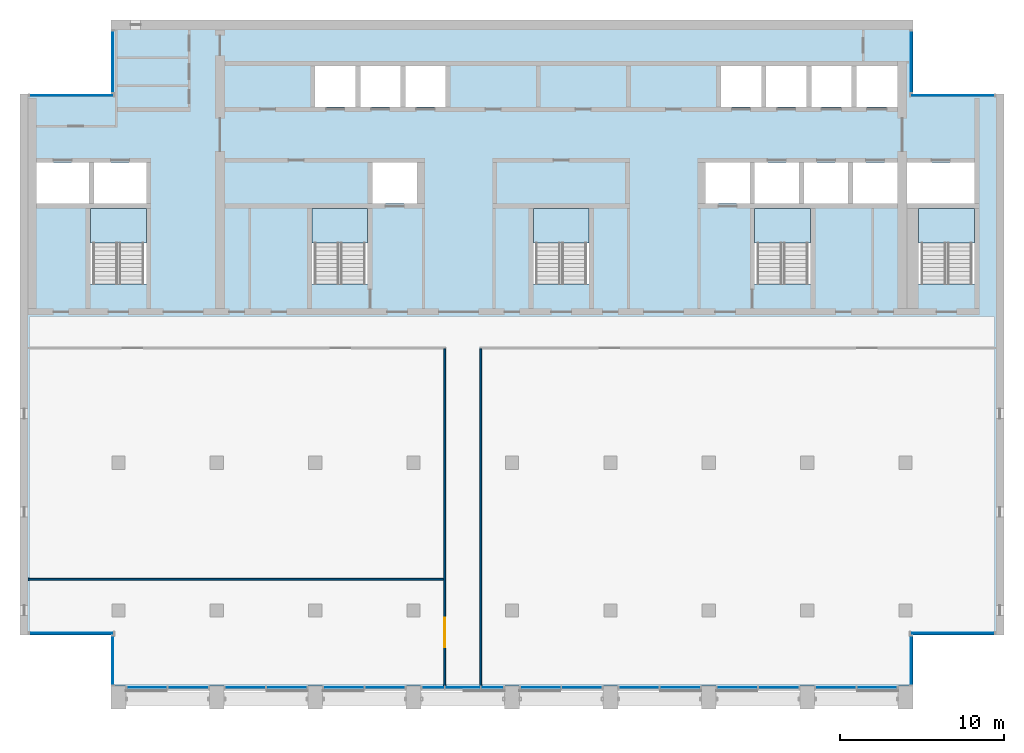
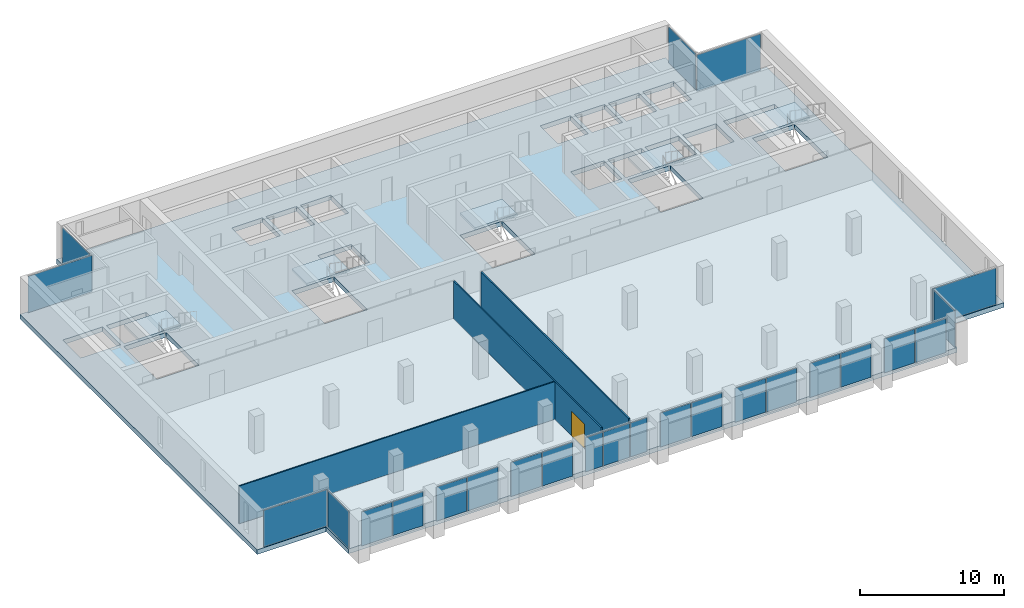
# One storey, part 6 of 14: 25 plates, 6 slabs, 3 walls, 1 door, 1 opening, 21 elements without a shape of their own.
"""IFC4 building model written with IfcOpenShell, lengths in metres."""

import ifcopenshell
import ifcopenshell.guid

model = None  # the IFC model being written
_history = None  # IfcOwnerHistory: only IFC2X3 demands one
_inside = {}  # id of a spatial element -> (the spatial element, [elements in it])
_under = {}  # id of a project, library or spatial element -> (it, [spatial elements below it])
_declared = {}  # id of a project -> (the project, [libraries it declares])
_typed = {}  # id of a type object -> (the type object, [elements of that type])
_made_of = {}  # id of a material, layer set ... -> (it, [elements and type objects made of it])


def new_model(schema):
    """Start an empty IFC model of exactly this schema.

    Asked for "IFC4X3", IfcOpenShell would pick the latest addendum, in which some entities
    have other attributes; the version numbers below select the first issue.
    IFC2X3 requires an IfcOwnerHistory on every rooted entity: one is made here for all.
    """
    global model, _history
    if schema == "IFC4X3":
        model = ifcopenshell.file(schema_version=(4, 3, 0, 0))
    else:
        model = ifcopenshell.file(schema=schema)
    _inside.clear()
    _under.clear()
    _declared.clear()
    _typed.clear()
    _made_of.clear()
    _history = None
    if model.schema == "IFC2X3":
        org = make("IfcOrganization", Name="unknown")
        user = make(
            "IfcPersonAndOrganization",
            ThePerson=make("IfcPerson", FamilyName="unknown"),
            TheOrganization=org,
        )
        app = make(
            "IfcApplication",
            ApplicationDeveloper=org,
            Version="unknown",
            ApplicationFullName="unknown",
            ApplicationIdentifier="unknown",
        )
        _history = make(
            "IfcOwnerHistory",
            OwningUser=user,
            OwningApplication=app,
            ChangeAction="ADDED",
            CreationDate=0,
        )
    return model


def make(cls, **values):
    """One entity of the class cls with the attributes given. An attribute that is None is left unset."""
    return model.create_entity(
        cls, **{name: value for name, value in values.items() if value is not None}
    )


def rooted(cls, **values):
    """An entity with a GlobalId (a new one), such as an element, a storey or a relation."""
    return make(cls, GlobalId=ifcopenshell.guid.new(), OwnerHistory=_history, **values)


def si_unit(unit_type, name, prefix=None):
    """IfcSIUnit, for example si_unit("LENGTHUNIT", "METRE", prefix="MILLI")."""
    return make("IfcSIUnit", UnitType=unit_type, Prefix=prefix, Name=name)


def assignment(units):
    """IfcUnitAssignment: the units of a project."""
    return None if units is None else make("IfcUnitAssignment", Units=units)


def point(xyz):
    """IfcCartesianPoint."""
    return None if xyz is None else make("IfcCartesianPoint", Coordinates=xyz)


def direction(xyz):
    """IfcDirection."""
    return None if xyz is None else make("IfcDirection", DirectionRatios=xyz)


def frame(location, z_axis=None, x_axis=None):
    """IfcAxis2Placement3D, a coordinate frame: its origin and axes. An axis left out is left unset."""
    return make(
        "IfcAxis2Placement3D",
        Location=point(location),
        Axis=direction(z_axis),
        RefDirection=direction(x_axis),
    )


def frame_2d(location, x_axis=None):
    """IfcAxis2Placement2D, a coordinate frame in the plane: its origin and x axis."""
    return make(
        "IfcAxis2Placement2D", Location=point(location), RefDirection=direction(x_axis)
    )


def origin():
    """The frame at (0, 0, 0) with its axes left unset."""
    return frame((0.0, 0.0, 0.0))


def origin_2d():
    """The frame at (0, 0) in the plane with its x axis left unset."""
    return frame_2d((0.0, 0.0))


def place(relative_to, where):
    """IfcLocalPlacement: puts the frame where relative to a parent placement (None: the world)."""
    return make(
        "IfcLocalPlacement", PlacementRelTo=relative_to, RelativePlacement=where
    )


def context(
    kind, dimensions, precision=None, world=None, true_north=None, identifier=None
):
    """IfcGeometricRepresentationContext, for example the 3D "Model" context."""
    return make(
        "IfcGeometricRepresentationContext",
        ContextIdentifier=identifier,
        ContextType=kind,
        CoordinateSpaceDimension=dimensions,
        Precision=precision,
        WorldCoordinateSystem=world,
        TrueNorth=true_north,
    )


def subcontext(parent, identifier, kind, view, scale=None):
    """IfcGeometricRepresentationSubContext, for example "Body" below "Model"."""
    return make(
        "IfcGeometricRepresentationSubContext",
        ContextIdentifier=identifier,
        ContextType=kind,
        ParentContext=parent,
        TargetScale=scale,
        TargetView=view,
    )


def project(units=None, contexts=None):
    """IfcProject with its units and contexts."""
    return rooted(
        "IfcProject",
        Name="project",
        RepresentationContexts=contexts,
        UnitsInContext=assignment(units),
    )


def spatial(cls, under=None, at=None, **own):
    """A site, building, storey or space (cls), placed at a placement, below another one or the project."""
    s = rooted(cls, ObjectPlacement=at, **own)
    if under is not None:
        _under.setdefault(under.id(), (under, []))[1].append(s)
    return s


def polyline(points):
    """IfcPolyline through the points."""
    return make("IfcPolyline", Points=[point(p) for p in points])


def profile(cls, at=None, kind="AREA", **sizes):
    """A parametric profile (cls). Its sizes go by their IFC names, for example OverallWidth=200.0."""
    return make(cls, ProfileType=kind, Position=at, **sizes)


def rectangle(**sizes):
    """IfcRectangleProfileDef."""
    return profile("IfcRectangleProfileDef", **sizes)


def outline(outer, holes=None, kind="AREA"):
    """IfcArbitraryClosedProfileDef: a profile drawn as a closed curve; with holes, ...WithVoids."""
    if holes is None:
        return make("IfcArbitraryClosedProfileDef", ProfileType=kind, OuterCurve=outer)
    return make(
        "IfcArbitraryProfileDefWithVoids",
        ProfileType=kind,
        OuterCurve=outer,
        InnerCurves=holes,
    )


def extrude(swept, where, along, depth):
    """IfcExtrudedAreaSolid: the profile swept, set in the frame where, extruded along a direction by depth."""
    return make(
        "IfcExtrudedAreaSolid",
        SweptArea=swept,
        Position=where,
        ExtrudedDirection=direction(along),
        Depth=depth,
    )


def shape(context_of_items, identifier, shape_type, items):
    """IfcShapeRepresentation: the items that make up one representation, for example the "Body"."""
    return make(
        "IfcShapeRepresentation",
        ContextOfItems=context_of_items,
        RepresentationIdentifier=identifier,
        RepresentationType=shape_type,
        Items=items,
    )


def material(Name=None, Category=None):
    """IfcMaterial."""
    return make("IfcMaterial", Name=Name, Category=Category)


def layer(
    of_material, thickness, ventilated=None, Name=None, Category=None, Priority=None
):
    """IfcMaterialLayer: one layer of a wall or slab, of a material (None: an air gap)."""
    return make(
        "IfcMaterialLayer",
        Material=of_material,
        LayerThickness=thickness,
        IsVentilated=ventilated,
        Name=Name,
        Category=Category,
        Priority=Priority,
    )


def layer_set(layers, Name=None):
    """IfcMaterialLayerSet."""
    return make("IfcMaterialLayerSet", MaterialLayers=layers, LayerSetName=Name)


def made_of(thing, what):
    """Note that an element or type object is made of a material, layer set ...; save() writes the relation."""
    if what is not None:
        _made_of.setdefault(what.id(), (what, []))[1].append(thing)
    return thing


def type_object(cls, material=None, **own):
    """A type object (cls), such as IfcWallType, which elements share."""
    return made_of(rooted(cls, **own), material)


def element(
    cls,
    number,
    at=None,
    inside=None,
    cuts=None,
    type_object=None,
    material=None,
    context=None,
    identifier="Body",
    shape_type=None,
    held_by="IfcProductDefinitionShape",
    body=None,
    shapes=None,
    **own,
):
    """One element of the class cls, such as IfcWall. Its Tag is "e" and its number.

    at: its placement. inside: the storey or other place that contains it. cuts: it is an
    opening in that element (IfcRelVoidsElement). A single representation is given by context,
    identifier, shape_type and body (its items); several are given by shapes. held_by: the class
    of the entity that holds the representations. save() writes the other relations.
    """
    e = rooted(cls, Tag="e%d" % number, ObjectPlacement=at, **own)
    if body is not None:
        shapes = [shape(context, identifier, shape_type, body)]
    if shapes is not None:
        e.Representation = make(held_by, Representations=shapes)
    if inside is not None:
        _inside.setdefault(inside.id(), (inside, []))[1].append(e)
    if cuts is not None:
        rooted(
            "IfcRelVoidsElement", RelatingBuildingElement=cuts, RelatedOpeningElement=e
        )
    if type_object is not None:
        _typed.setdefault(type_object.id(), (type_object, []))[1].append(e)
    return made_of(e, material)


def fill(opening, filler):
    """IfcRelFillsElement: the door or window that sits in an opening."""
    return rooted(
        "IfcRelFillsElement",
        RelatingOpeningElement=opening,
        RelatedBuildingElement=filler,
    )


def aggregate(whole, parts):
    """IfcRelAggregates: a whole, such as a stair, and the parts it consists of."""
    return rooted("IfcRelAggregates", RelatingObject=whole, RelatedObjects=parts)


def save(model, path):
    """Write the relations noted so far, then the file.

    IfcRelAggregates (storeys below a building ...), IfcRelContainedInSpatialStructure (elements
    in a storey), IfcRelDefinesByType, IfcRelAssociatesMaterial and IfcRelDeclares: one each for
    every whole, place, type object, material and project.
    """
    for whole, parts in _under.values():
        aggregate(whole, parts)
    for where, things in _inside.values():
        rooted(
            "IfcRelContainedInSpatialStructure",
            RelatedElements=things,
            RelatingStructure=where,
        )
    for kind, things in _typed.values():
        rooted("IfcRelDefinesByType", RelatedObjects=things, RelatingType=kind)
    for what, things in _made_of.values():
        rooted("IfcRelAssociatesMaterial", RelatedObjects=things, RelatingMaterial=what)
    for by, libraries in _declared.values():
        rooted("IfcRelDeclares", RelatingContext=by, RelatedDefinitions=libraries)
    model.write(path)


model = new_model("IFC4")

# Units and contexts
model_context = context("Model", 3, precision=1e-05, world=origin(), true_north=direction((0.0, 1.0)))
body_context = subcontext(model_context, "Body", "Model", "MODEL_VIEW")
ifc_project = project(units=[si_unit("LENGTHUNIT", "METRE"), si_unit("AREAUNIT", "SQUARE_METRE"), si_unit("VOLUMEUNIT", "CUBIC_METRE"), si_unit("PLANEANGLEUNIT", "RADIAN"), si_unit("MASSUNIT", "GRAM", prefix="KILO")], contexts=[model_context])

# Site, building, storey
site_placement = place(None, origin())
site = spatial("IfcSite", under=ifc_project, at=site_placement, CompositionType="ELEMENT")
building_placement = place(site_placement, origin())
building = spatial("IfcBuilding", under=site, at=building_placement, Name="Calvaro Tower", CompositionType="ELEMENT")
storey_placement = place(building_placement, frame((0.0, 0.0, 262.14990234375)))
storey = spatial("IfcBuildingStorey", under=building, at=storey_placement, Name="L66", CompositionType="ELEMENT", Elevation=262.14990234375)

# Slab
ifc_material_1 = material(Name="Concrete C40/50", Category="concrete")
ifc_layer_1 = layer(ifc_material_1, 0.39990234375)
ifc_layer_set_1 = layer_set([ifc_layer_1], Name="Concrete C40/50")
slab_type_1 = type_object("IfcSlabType", Name="Floor slab 400 C40/50", PredefinedType="FLOOR", material=ifc_layer_set_1)
slab_1_placement = place(storey_placement, frame((0.0, 0.0, -0.39990234375)))
element("IfcSlab", 1, at=slab_1_placement, inside=storey, type_object=slab_type_1, Name="Floor slab", PredefinedType="FLOOR", context=body_context, shape_type="SweptSolid", body=[
    extrude(outline(polyline([(60.449951171875, 8.5), (60.449951171875, 5.39990234375), (11.550048828125, 5.39990234375), (11.550048828125, 8.5), (6.0, 8.5), (6.0, 41.5), (11.550048828125, 41.5), (11.550048828125, 46.0), (60.449951171875, 46.0), (60.449951171875, 41.5), (66.0, 41.5), (66.0, 8.5), (60.449951171875, 8.5)]), holes=[polyline([(10.300048828125, 29.909912109375), (10.300048828125, 34.5), (12.0, 34.5), (13.699951171875, 34.5), (13.699951171875, 29.909912109375), (12.0, 29.909912109375), (10.300048828125, 29.909912109375)]), polyline([(23.800048828125, 29.909912109375), (23.800048828125, 34.5), (25.5, 34.5), (27.199951171875, 34.5), (27.199951171875, 29.909912109375), (25.5, 29.909912109375), (23.800048828125, 29.909912109375)]), polyline([(37.300048828125, 29.909912109375), (37.300048828125, 34.5), (39.0, 34.5), (40.699951171875, 34.5), (40.699951171875, 29.909912109375), (39.0, 29.909912109375), (37.300048828125, 29.909912109375)]), polyline([(50.800048828125, 29.909912109375), (50.800048828125, 34.5), (52.5, 34.5), (54.199951171875, 34.5), (54.199951171875, 29.909912109375), (52.5, 29.909912109375), (50.800048828125, 29.909912109375)]), polyline([(60.800048828125, 29.909912109375), (60.800048828125, 34.5), (62.5, 34.5), (64.199951171875, 34.5), (64.199951171875, 29.909912109375), (62.5, 29.909912109375), (60.800048828125, 29.909912109375)]), polyline([(50.800048828125, 34.800048828125), (53.5, 34.800048828125), (53.5, 37.300048828125), (50.800048828125, 37.300048828125), (50.800048828125, 34.800048828125)]), polyline([(53.800048828125, 34.800048828125), (56.5, 34.800048828125), (56.5, 37.300048828125), (53.800048828125, 37.300048828125), (53.800048828125, 34.800048828125)]), polyline([(56.800048828125, 34.800048828125), (59.5, 34.800048828125), (59.5, 37.300048828125), (56.800048828125, 37.300048828125), (56.800048828125, 34.800048828125)]), polyline([(24.0, 40.699951171875), (26.449951171875, 40.699951171875), (26.449951171875, 43.199951171875), (24.0, 43.199951171875), (24.0, 40.699951171875)]), polyline([(26.75, 40.699951171875), (29.199951171875, 40.699951171875), (29.199951171875, 43.199951171875), (26.75, 43.199951171875), (26.75, 40.699951171875)]), polyline([(29.5, 40.699951171875), (31.949951171875, 40.699951171875), (31.949951171875, 43.199951171875), (29.5, 43.199951171875), (29.5, 40.699951171875)]), polyline([(48.75, 40.699951171875), (51.199951171875, 40.699951171875), (51.199951171875, 43.199951171875), (48.75, 43.199951171875), (48.75, 40.699951171875)]), polyline([(51.5, 40.699951171875), (53.949951171875, 40.699951171875), (53.949951171875, 43.199951171875), (51.5, 43.199951171875), (51.5, 40.699951171875)]), polyline([(54.25, 40.699951171875), (56.699951171875, 40.699951171875), (56.699951171875, 43.199951171875), (54.25, 43.199951171875), (54.25, 40.699951171875)]), polyline([(57.0, 40.699951171875), (59.5, 40.699951171875), (59.5, 43.199951171875), (57.0, 43.199951171875), (57.0, 40.699951171875)]), polyline([(7.0, 34.800048828125), (10.199951171875, 34.800048828125), (10.199951171875, 37.300048828125), (7.0, 37.300048828125), (7.0, 34.800048828125)]), polyline([(10.5, 34.800048828125), (13.699951171875, 34.800048828125), (13.699951171875, 37.300048828125), (10.5, 37.300048828125), (10.5, 34.800048828125)]), polyline([(60.10009765625, 34.800048828125), (64.199951171875, 34.800048828125), (64.199951171875, 37.300048828125), (60.10009765625, 37.300048828125), (60.10009765625, 34.800048828125)]), polyline([(27.5, 34.800048828125), (30.199951171875, 34.800048828125), (30.199951171875, 37.300048828125), (27.5, 37.300048828125), (27.5, 34.800048828125)]), polyline([(47.800048828125, 34.800048828125), (50.5, 34.800048828125), (50.5, 37.300048828125), (47.800048828125, 37.300048828125), (47.800048828125, 34.800048828125)])]), origin(), (0.0, 0.0, 1.0), 0.39990234375),
])

# Curtain wall, plates
ifc_material_2 = material(Name="Anodised aluminium", Category="aluminium")
curtain_wall_type = type_object("IfcCurtainWallType", Name="Executive curtain wall", PredefinedType="NOTDEFINED", material=ifc_material_2)
curtain_wall_1_placement = place(storey_placement, origin())
curtain_wall_1 = element("IfcCurtainWall", 2, at=curtain_wall_1_placement, inside=storey, type_object=curtain_wall_type, Name="CW4 south curtain wall", PredefinedType="NOTDEFINED")
ifc_material_3 = material(Name="Glass", Category="glass")
ifc_layer_2 = layer(ifc_material_3, 0.0400390625)
ifc_layer_set_2 = layer_set([ifc_layer_2], Name="Glass")
plate_type = type_object("IfcPlateType", Name="Glass panel S4 40", PredefinedType="CURTAIN_PANEL", material=ifc_layer_set_2)
plate_1_placement = place(storey_placement, frame((13.7451171875, 5.2900390625, 0.000244140625), z_axis=(0.0, 0.0, 1.0), x_axis=(1.0, 0.0, 0.0)))
plate_1 = element("IfcPlate", 3, at=plate_1_placement, type_object=plate_type, Name="CW4 glass panel 1.1", PredefinedType="CURTAIN_PANEL", context=body_context, shape_type="SweptSolid", body=[
    extrude(rectangle(XDim=2.429931640625, YDim=0.0400390625, at=origin_2d()), origin(), (0.0, 0.0, 1.0), 2.8798828125),
])
plate_2_placement = place(storey_placement, frame((16.2548828125, 5.2900390625, 0.000244140625), z_axis=(0.0, 0.0, 1.0), x_axis=(1.0, 0.0, 0.0)))
plate_2 = element("IfcPlate", 4, at=plate_2_placement, type_object=plate_type, Name="CW4 glass panel 2.1", PredefinedType="CURTAIN_PANEL", context=body_context, shape_type="SweptSolid", body=[
    extrude(rectangle(XDim=2.429931640625, YDim=0.0400390625, at=origin_2d()), origin(), (0.0, 0.0, 1.0), 2.8798828125),
])
aggregate(curtain_wall_1, [plate_1, plate_2])

curtain_wall_2_placement = place(storey_placement, origin())
curtain_wall_2 = element("IfcCurtainWall", 5, at=curtain_wall_2_placement, inside=storey, type_object=curtain_wall_type, Name="CW4 south curtain wall", PredefinedType="NOTDEFINED")
plate_3_placement = place(storey_placement, frame((19.7451171875, 5.2900390625, 0.000244140625), z_axis=(0.0, 0.0, 1.0), x_axis=(1.0, 0.0, 0.0)))
plate_3 = element("IfcPlate", 6, at=plate_3_placement, type_object=plate_type, Name="CW4 glass panel 1.1", PredefinedType="CURTAIN_PANEL", context=body_context, shape_type="SweptSolid", body=[
    extrude(rectangle(XDim=2.429931640625, YDim=0.0400390625, at=origin_2d()), origin(), (0.0, 0.0, 1.0), 2.8798828125),
])
plate_4_placement = place(storey_placement, frame((22.2548828125, 5.2900390625, 0.000244140625), z_axis=(0.0, 0.0, 1.0), x_axis=(1.0, 0.0, 0.0)))
plate_4 = element("IfcPlate", 7, at=plate_4_placement, type_object=plate_type, Name="CW4 glass panel 2.1", PredefinedType="CURTAIN_PANEL", context=body_context, shape_type="SweptSolid", body=[
    extrude(rectangle(XDim=2.429931640625, YDim=0.0400390625, at=origin_2d()), origin(), (0.0, 0.0, 1.0), 2.8798828125),
])
aggregate(curtain_wall_2, [plate_3, plate_4])

curtain_wall_3_placement = place(storey_placement, origin())
curtain_wall_3 = element("IfcCurtainWall", 8, at=curtain_wall_3_placement, inside=storey, type_object=curtain_wall_type, Name="CW4 south curtain wall", PredefinedType="NOTDEFINED")
plate_5_placement = place(storey_placement, frame((25.7451171875, 5.2900390625, 0.000244140625), z_axis=(0.0, 0.0, 1.0), x_axis=(1.0, 0.0, 0.0)))
plate_5 = element("IfcPlate", 9, at=plate_5_placement, type_object=plate_type, Name="CW4 glass panel 1.1", PredefinedType="CURTAIN_PANEL", context=body_context, shape_type="SweptSolid", body=[
    extrude(rectangle(XDim=2.429931640625, YDim=0.0400390625, at=origin_2d()), origin(), (0.0, 0.0, 1.0), 2.8798828125),
])
plate_6_placement = place(storey_placement, frame((28.2548828125, 5.2900390625, 0.000244140625), z_axis=(0.0, 0.0, 1.0), x_axis=(1.0, 0.0, 0.0)))
plate_6 = element("IfcPlate", 10, at=plate_6_placement, type_object=plate_type, Name="CW4 glass panel 2.1", PredefinedType="CURTAIN_PANEL", context=body_context, shape_type="SweptSolid", body=[
    extrude(rectangle(XDim=2.429931640625, YDim=0.0400390625, at=origin_2d()), origin(), (0.0, 0.0, 1.0), 2.8798828125),
])
aggregate(curtain_wall_3, [plate_5, plate_6])

curtain_wall_4_placement = place(storey_placement, origin())
curtain_wall_4 = element("IfcCurtainWall", 11, at=curtain_wall_4_placement, inside=storey, type_object=curtain_wall_type, Name="CW4 south curtain wall", PredefinedType="NOTDEFINED")
plate_7_placement = place(storey_placement, frame((31.195068359375, 5.2900390625, 0.000244140625), z_axis=(0.0, 0.0, 1.0), x_axis=(1.0, 0.0, 0.0)))
plate_7 = element("IfcPlate", 12, at=plate_7_placement, type_object=plate_type, Name="CW4 glass panel 1.1", PredefinedType="CURTAIN_PANEL", context=body_context, shape_type="SweptSolid", body=[
    extrude(rectangle(XDim=1.330078125, YDim=0.0400390625, at=origin_2d()), origin(), (0.0, 0.0, 1.0), 2.8798828125),
])
plate_8_placement = place(storey_placement, frame((33.0, 5.2900390625, 0.000244140625), z_axis=(0.0, 0.0, 1.0), x_axis=(1.0, 0.0, 0.0)))
plate_8 = element("IfcPlate", 13, at=plate_8_placement, type_object=plate_type, Name="CW4 glass panel 2.1", PredefinedType="CURTAIN_PANEL", context=body_context, shape_type="SweptSolid", body=[
    extrude(rectangle(XDim=2.1201171875, YDim=0.0400390625, at=origin_2d()), origin(), (0.0, 0.0, 1.0), 2.8798828125),
])
plate_9_placement = place(storey_placement, frame((34.804931640625, 5.2900390625, 0.000244140625), z_axis=(0.0, 0.0, 1.0), x_axis=(1.0, 0.0, 0.0)))
plate_9 = element("IfcPlate", 14, at=plate_9_placement, type_object=plate_type, Name="CW4 glass panel 3.1", PredefinedType="CURTAIN_PANEL", context=body_context, shape_type="SweptSolid", body=[
    extrude(rectangle(XDim=1.330078125, YDim=0.0400390625, at=origin_2d()), origin(), (0.0, 0.0, 1.0), 2.8798828125),
])
aggregate(curtain_wall_4, [plate_7, plate_8, plate_9])

curtain_wall_5_placement = place(storey_placement, origin())
curtain_wall_5 = element("IfcCurtainWall", 15, at=curtain_wall_5_placement, inside=storey, type_object=curtain_wall_type, Name="CW4 south curtain wall", PredefinedType="NOTDEFINED")
plate_10_placement = place(storey_placement, frame((37.7451171875, 5.2900390625, 0.000244140625), z_axis=(0.0, 0.0, 1.0), x_axis=(1.0, 0.0, 0.0)))
plate_10 = element("IfcPlate", 16, at=plate_10_placement, type_object=plate_type, Name="CW4 glass panel 1.1", PredefinedType="CURTAIN_PANEL", context=body_context, shape_type="SweptSolid", body=[
    extrude(rectangle(XDim=2.429931640625, YDim=0.0400390625, at=origin_2d()), origin(), (0.0, 0.0, 1.0), 2.8798828125),
])
plate_11_placement = place(storey_placement, frame((40.2548828125, 5.2900390625, 0.000244140625), z_axis=(0.0, 0.0, 1.0), x_axis=(1.0, 0.0, 0.0)))
plate_11 = element("IfcPlate", 17, at=plate_11_placement, type_object=plate_type, Name="CW4 glass panel 2.1", PredefinedType="CURTAIN_PANEL", context=body_context, shape_type="SweptSolid", body=[
    extrude(rectangle(XDim=2.429931640625, YDim=0.0400390625, at=origin_2d()), origin(), (0.0, 0.0, 1.0), 2.8798828125),
])
aggregate(curtain_wall_5, [plate_10, plate_11])

curtain_wall_6_placement = place(storey_placement, origin())
curtain_wall_6 = element("IfcCurtainWall", 18, at=curtain_wall_6_placement, inside=storey, type_object=curtain_wall_type, Name="CW4 south curtain wall", PredefinedType="NOTDEFINED")
plate_12_placement = place(storey_placement, frame((43.7451171875, 5.2900390625, 0.000244140625), z_axis=(0.0, 0.0, 1.0), x_axis=(1.0, 0.0, 0.0)))
plate_12 = element("IfcPlate", 19, at=plate_12_placement, type_object=plate_type, Name="CW4 glass panel 1.1", PredefinedType="CURTAIN_PANEL", context=body_context, shape_type="SweptSolid", body=[
    extrude(rectangle(XDim=2.429931640625, YDim=0.0400390625, at=origin_2d()), origin(), (0.0, 0.0, 1.0), 2.8798828125),
])
plate_13_placement = place(storey_placement, frame((46.2548828125, 5.2900390625, 0.000244140625), z_axis=(0.0, 0.0, 1.0), x_axis=(1.0, 0.0, 0.0)))
plate_13 = element("IfcPlate", 20, at=plate_13_placement, type_object=plate_type, Name="CW4 glass panel 2.1", PredefinedType="CURTAIN_PANEL", context=body_context, shape_type="SweptSolid", body=[
    extrude(rectangle(XDim=2.429931640625, YDim=0.0400390625, at=origin_2d()), origin(), (0.0, 0.0, 1.0), 2.8798828125),
])
aggregate(curtain_wall_6, [plate_12, plate_13])

curtain_wall_7_placement = place(storey_placement, origin())
curtain_wall_7 = element("IfcCurtainWall", 21, at=curtain_wall_7_placement, inside=storey, type_object=curtain_wall_type, Name="CW4 south curtain wall", PredefinedType="NOTDEFINED")
plate_14_placement = place(storey_placement, frame((49.7451171875, 5.2900390625, 0.000244140625), z_axis=(0.0, 0.0, 1.0), x_axis=(1.0, 0.0, 0.0)))
plate_14 = element("IfcPlate", 22, at=plate_14_placement, type_object=plate_type, Name="CW4 glass panel 1.1", PredefinedType="CURTAIN_PANEL", context=body_context, shape_type="SweptSolid", body=[
    extrude(rectangle(XDim=2.429931640625, YDim=0.0400390625, at=origin_2d()), origin(), (0.0, 0.0, 1.0), 2.8798828125),
])
plate_15_placement = place(storey_placement, frame((52.2548828125, 5.2900390625, 0.000244140625), z_axis=(0.0, 0.0, 1.0), x_axis=(1.0, 0.0, 0.0)))
plate_15 = element("IfcPlate", 23, at=plate_15_placement, type_object=plate_type, Name="CW4 glass panel 2.1", PredefinedType="CURTAIN_PANEL", context=body_context, shape_type="SweptSolid", body=[
    extrude(rectangle(XDim=2.429931640625, YDim=0.0400390625, at=origin_2d()), origin(), (0.0, 0.0, 1.0), 2.8798828125),
])
aggregate(curtain_wall_7, [plate_14, plate_15])

curtain_wall_8_placement = place(storey_placement, origin())
curtain_wall_8 = element("IfcCurtainWall", 24, at=curtain_wall_8_placement, inside=storey, type_object=curtain_wall_type, Name="CW4 south curtain wall", PredefinedType="NOTDEFINED")
plate_16_placement = place(storey_placement, frame((55.7451171875, 5.2900390625, 0.000244140625), z_axis=(0.0, 0.0, 1.0), x_axis=(1.0, 0.0, 0.0)))
plate_16 = element("IfcPlate", 25, at=plate_16_placement, type_object=plate_type, Name="CW4 glass panel 1.1", PredefinedType="CURTAIN_PANEL", context=body_context, shape_type="SweptSolid", body=[
    extrude(rectangle(XDim=2.429931640625, YDim=0.0400390625, at=origin_2d()), origin(), (0.0, 0.0, 1.0), 2.8798828125),
])
plate_17_placement = place(storey_placement, frame((58.2548828125, 5.2900390625, 0.000244140625), z_axis=(0.0, 0.0, 1.0), x_axis=(1.0, 0.0, 0.0)))
plate_17 = element("IfcPlate", 26, at=plate_17_placement, type_object=plate_type, Name="CW4 glass panel 2.1", PredefinedType="CURTAIN_PANEL", context=body_context, shape_type="SweptSolid", body=[
    extrude(rectangle(XDim=2.429931640625, YDim=0.0400390625, at=origin_2d()), origin(), (0.0, 0.0, 1.0), 2.8798828125),
])
aggregate(curtain_wall_8, [plate_16, plate_17])

# Curtain wall, plate
curtain_wall_9_placement = place(storey_placement, origin())
curtain_wall_9 = element("IfcCurtainWall", 27, at=curtain_wall_9_placement, inside=storey, type_object=curtain_wall_type, Name="CW4 corner curtain wall", PredefinedType="NOTDEFINED")
plate_18_placement = place(storey_placement, frame((11.659912109375, 6.949951171875, 0.0), z_axis=(0.0, 0.0, 1.0), x_axis=(0.0, 1.0, 0.0)))
plate_18 = element("IfcPlate", 28, at=plate_18_placement, type_object=plate_type, Name="CW4 glass panel 1.1", PredefinedType="CURTAIN_PANEL", context=body_context, shape_type="SweptSolid", body=[
    extrude(rectangle(XDim=2.93994140625, YDim=0.0400390625, at=origin_2d()), origin(), (0.0, 0.0, 1.0), 3.080078125),
])
aggregate(curtain_wall_9, [plate_18])

curtain_wall_10_placement = place(storey_placement, origin())
curtain_wall_10 = element("IfcCurtainWall", 29, at=curtain_wall_10_placement, inside=storey, type_object=curtain_wall_type, Name="CW4 corner curtain wall", PredefinedType="NOTDEFINED")
plate_19_placement = place(storey_placement, frame((9.135009765625, 8.610107421875, 0.0), z_axis=(0.0, 0.0, 1.0), x_axis=(1.0, 0.0, 0.0)))
plate_19 = element("IfcPlate", 30, at=plate_19_placement, type_object=plate_type, Name="CW4 glass panel 1.1", PredefinedType="CURTAIN_PANEL", context=body_context, shape_type="SweptSolid", body=[
    extrude(rectangle(XDim=5.110107421875, YDim=0.0400390625, at=origin_2d()), origin(), (0.0, 0.0, 1.0), 3.080078125),
])
aggregate(curtain_wall_10, [plate_19])

curtain_wall_11_placement = place(storey_placement, origin())
curtain_wall_11 = element("IfcCurtainWall", 31, at=curtain_wall_11_placement, inside=storey, type_object=curtain_wall_type, Name="CW4 corner curtain wall", PredefinedType="NOTDEFINED")
plate_20_placement = place(storey_placement, frame((11.659912109375, 43.449951171875, 0.0), z_axis=(0.0, 0.0, 1.0), x_axis=(0.0, 1.0, 0.0)))
plate_20 = element("IfcPlate", 32, at=plate_20_placement, type_object=plate_type, Name="CW4 glass panel 1.1", PredefinedType="CURTAIN_PANEL", context=body_context, shape_type="SweptSolid", body=[
    extrude(rectangle(XDim=3.739990234375, YDim=0.0400390625, at=origin_2d()), origin(), (0.0, 0.0, 1.0), 3.080078125),
])
aggregate(curtain_wall_11, [plate_20])

curtain_wall_12_placement = place(storey_placement, origin())
curtain_wall_12 = element("IfcCurtainWall", 33, at=curtain_wall_12_placement, inside=storey, type_object=curtain_wall_type, Name="CW4 corner curtain wall", PredefinedType="NOTDEFINED")
plate_21_placement = place(storey_placement, frame((9.135009765625, 41.389892578125, 0.0), z_axis=(0.0, 0.0, 1.0), x_axis=(1.0, 0.0, 0.0)))
plate_21 = element("IfcPlate", 34, at=plate_21_placement, type_object=plate_type, Name="CW4 glass panel 1.1", PredefinedType="CURTAIN_PANEL", context=body_context, shape_type="SweptSolid", body=[
    extrude(rectangle(XDim=5.110107421875, YDim=0.0400390625, at=origin_2d()), origin(), (0.0, 0.0, 1.0), 3.080078125),
])
aggregate(curtain_wall_12, [plate_21])

curtain_wall_13_placement = place(storey_placement, origin())
curtain_wall_13 = element("IfcCurtainWall", 35, at=curtain_wall_13_placement, inside=storey, type_object=curtain_wall_type, Name="CW4 corner curtain wall", PredefinedType="NOTDEFINED")
plate_22_placement = place(storey_placement, frame((60.340087890625, 6.949951171875, 0.0), z_axis=(0.0, 0.0, 1.0), x_axis=(0.0, 1.0, 0.0)))
plate_22 = element("IfcPlate", 36, at=plate_22_placement, type_object=plate_type, Name="CW4 glass panel 1.1", PredefinedType="CURTAIN_PANEL", context=body_context, shape_type="SweptSolid", body=[
    extrude(rectangle(XDim=2.93994140625, YDim=0.0400390625, at=origin_2d()), origin(), (0.0, 0.0, 1.0), 3.080078125),
])
aggregate(curtain_wall_13, [plate_22])

curtain_wall_14_placement = place(storey_placement, origin())
curtain_wall_14 = element("IfcCurtainWall", 37, at=curtain_wall_14_placement, inside=storey, type_object=curtain_wall_type, Name="CW4 corner curtain wall", PredefinedType="NOTDEFINED")
plate_23_placement = place(storey_placement, frame((62.864990234375, 8.610107421875, 0.0), z_axis=(0.0, 0.0, 1.0), x_axis=(1.0, 0.0, 0.0)))
plate_23 = element("IfcPlate", 38, at=plate_23_placement, type_object=plate_type, Name="CW4 glass panel 1.1", PredefinedType="CURTAIN_PANEL", context=body_context, shape_type="SweptSolid", body=[
    extrude(rectangle(XDim=5.110107421875, YDim=0.0400390625, at=origin_2d()), origin(), (0.0, 0.0, 1.0), 3.080078125),
])
aggregate(curtain_wall_14, [plate_23])

curtain_wall_15_placement = place(storey_placement, origin())
curtain_wall_15 = element("IfcCurtainWall", 39, at=curtain_wall_15_placement, inside=storey, type_object=curtain_wall_type, Name="CW4 corner curtain wall", PredefinedType="NOTDEFINED")
plate_24_placement = place(storey_placement, frame((60.340087890625, 43.449951171875, 0.0), z_axis=(0.0, 0.0, 1.0), x_axis=(0.0, 1.0, 0.0)))
plate_24 = element("IfcPlate", 40, at=plate_24_placement, type_object=plate_type, Name="CW4 glass panel 1.1", PredefinedType="CURTAIN_PANEL", context=body_context, shape_type="SweptSolid", body=[
    extrude(rectangle(XDim=3.739990234375, YDim=0.0400390625, at=origin_2d()), origin(), (0.0, 0.0, 1.0), 3.080078125),
])
aggregate(curtain_wall_15, [plate_24])

curtain_wall_16_placement = place(storey_placement, origin())
curtain_wall_16 = element("IfcCurtainWall", 41, at=curtain_wall_16_placement, inside=storey, type_object=curtain_wall_type, Name="CW4 corner curtain wall", PredefinedType="NOTDEFINED")
plate_25_placement = place(storey_placement, frame((62.864990234375, 41.389892578125, 0.0), z_axis=(0.0, 0.0, 1.0), x_axis=(1.0, 0.0, 0.0)))
plate_25 = element("IfcPlate", 42, at=plate_25_placement, type_object=plate_type, Name="CW4 glass panel 1.1", PredefinedType="CURTAIN_PANEL", context=body_context, shape_type="SweptSolid", body=[
    extrude(rectangle(XDim=5.110107421875, YDim=0.0400390625, at=origin_2d()), origin(), (0.0, 0.0, 1.0), 3.080078125),
])
aggregate(curtain_wall_16, [plate_25])

# Stair, slab
ifc_material_4 = material(Name="Concrete C40/50", Category="concrete")
stair_type = type_object("IfcStairType", Name="Exit stair 1400 2 flights", PredefinedType="HALF_TURN_STAIR", material=ifc_material_4)
stair_1_placement = place(storey_placement, origin())
stair_1 = element("IfcStair", 43, at=stair_1_placement, inside=storey, type_object=stair_type, Name="Exit stair S1", PredefinedType="HALF_TURN_STAIR")
ifc_material_5 = material(Name="Concrete C40/50", Category="concrete")
ifc_layer_3 = layer(ifc_material_5, 0.199951171875)
ifc_layer_set_3 = layer_set([ifc_layer_3], Name="Concrete C40/50")
slab_type_2 = type_object("IfcSlabType", Name="Stair landing", PredefinedType="LANDING", material=ifc_layer_set_3)
slab_2_placement = place(storey_placement, frame((0.0, 0.0, 1.7001953125)))
slab_2 = element("IfcSlab", 44, at=slab_2_placement, type_object=slab_type_2, Name="Exit stair 1, landing 1", PredefinedType="LANDING", context=body_context, shape_type="SweptSolid", body=[
    extrude(outline(polyline([(11.89990234375, 32.389892578125), (10.5, 32.389892578125), (10.5, 32.39990234375), (10.300048828125, 32.39990234375), (10.300048828125, 34.5), (10.5, 34.5), (11.89990234375, 34.5), (12.10009765625, 34.5), (13.5, 34.5), (13.699951171875, 34.5), (13.699951171875, 32.39990234375), (13.5, 32.39990234375), (13.5, 32.389892578125), (12.10009765625, 32.389892578125), (12.10009765625, 32.39990234375), (11.89990234375, 32.39990234375), (11.89990234375, 32.389892578125)])), origin(), (0.0, 0.0, 1.0), 0.199951171875),
])
aggregate(stair_1, [slab_2])

stair_2_placement = place(storey_placement, origin())
stair_2 = element("IfcStair", 45, at=stair_2_placement, inside=storey, type_object=stair_type, Name="Exit stair S2", PredefinedType="HALF_TURN_STAIR")
slab_3_placement = place(storey_placement, frame((0.0, 0.0, 1.7001953125)))
slab_3 = element("IfcSlab", 46, at=slab_3_placement, type_object=slab_type_2, Name="Exit stair 2, landing 1", PredefinedType="LANDING", context=body_context, shape_type="SweptSolid", body=[
    extrude(outline(polyline([(25.39990234375, 32.389892578125), (24.0, 32.389892578125), (24.0, 32.39990234375), (23.800048828125, 32.39990234375), (23.800048828125, 34.5), (24.0, 34.5), (25.39990234375, 34.5), (25.60009765625, 34.5), (27.0, 34.5), (27.199951171875, 34.5), (27.199951171875, 32.39990234375), (27.0, 32.39990234375), (27.0, 32.389892578125), (25.60009765625, 32.389892578125), (25.60009765625, 32.39990234375), (25.39990234375, 32.39990234375), (25.39990234375, 32.389892578125)])), origin(), (0.0, 0.0, 1.0), 0.199951171875),
])
aggregate(stair_2, [slab_3])

stair_3_placement = place(storey_placement, origin())
stair_3 = element("IfcStair", 47, at=stair_3_placement, inside=storey, type_object=stair_type, Name="Exit stair S3", PredefinedType="HALF_TURN_STAIR")
slab_4_placement = place(storey_placement, frame((0.0, 0.0, 1.7001953125)))
slab_4 = element("IfcSlab", 48, at=slab_4_placement, type_object=slab_type_2, Name="Exit stair 3, landing 1", PredefinedType="LANDING", context=body_context, shape_type="SweptSolid", body=[
    extrude(outline(polyline([(38.89990234375, 32.389892578125), (37.5, 32.389892578125), (37.5, 32.39990234375), (37.300048828125, 32.39990234375), (37.300048828125, 34.5), (37.5, 34.5), (38.89990234375, 34.5), (39.10009765625, 34.5), (40.5, 34.5), (40.699951171875, 34.5), (40.699951171875, 32.39990234375), (40.5, 32.39990234375), (40.5, 32.389892578125), (39.10009765625, 32.389892578125), (39.10009765625, 32.39990234375), (38.89990234375, 32.39990234375), (38.89990234375, 32.389892578125)])), origin(), (0.0, 0.0, 1.0), 0.199951171875),
])
aggregate(stair_3, [slab_4])

stair_4_placement = place(storey_placement, origin())
stair_4 = element("IfcStair", 49, at=stair_4_placement, inside=storey, type_object=stair_type, Name="Exit stair S4", PredefinedType="HALF_TURN_STAIR")
slab_5_placement = place(storey_placement, frame((0.0, 0.0, 1.7001953125)))
slab_5 = element("IfcSlab", 50, at=slab_5_placement, type_object=slab_type_2, Name="Exit stair 4, landing 1", PredefinedType="LANDING", context=body_context, shape_type="SweptSolid", body=[
    extrude(outline(polyline([(52.39990234375, 32.389892578125), (51.0, 32.389892578125), (51.0, 32.39990234375), (50.800048828125, 32.39990234375), (50.800048828125, 34.5), (51.0, 34.5), (52.39990234375, 34.5), (52.60009765625, 34.5), (54.0, 34.5), (54.199951171875, 34.5), (54.199951171875, 32.39990234375), (54.0, 32.39990234375), (54.0, 32.389892578125), (52.60009765625, 32.389892578125), (52.60009765625, 32.39990234375), (52.39990234375, 32.39990234375), (52.39990234375, 32.389892578125)])), origin(), (0.0, 0.0, 1.0), 0.199951171875),
])
aggregate(stair_4, [slab_5])

stair_5_placement = place(storey_placement, origin())
stair_5 = element("IfcStair", 51, at=stair_5_placement, inside=storey, type_object=stair_type, Name="Exit stair S5", PredefinedType="HALF_TURN_STAIR")
slab_6_placement = place(storey_placement, frame((0.0, 0.0, 1.7001953125)))
slab_6 = element("IfcSlab", 52, at=slab_6_placement, type_object=slab_type_2, Name="Exit stair 5, landing 1", PredefinedType="LANDING", context=body_context, shape_type="SweptSolid", body=[
    extrude(outline(polyline([(62.39990234375, 32.389892578125), (61.0, 32.389892578125), (61.0, 32.39990234375), (60.800048828125, 32.39990234375), (60.800048828125, 34.5), (61.0, 34.5), (62.39990234375, 34.5), (62.60009765625, 34.5), (64.0, 34.5), (64.199951171875, 34.5), (64.199951171875, 32.39990234375), (64.0, 32.39990234375), (64.0, 32.389892578125), (62.60009765625, 32.389892578125), (62.60009765625, 32.39990234375), (62.39990234375, 32.39990234375), (62.39990234375, 32.389892578125)])), origin(), (0.0, 0.0, 1.0), 0.199951171875),
])
aggregate(stair_5, [slab_6])

# Wall
ifc_material_6 = material(Name="Plasterboard on steel studs", Category="steel")
ifc_layer_4 = layer(ifc_material_6, 0.10009765625)
ifc_layer_set_4 = layer_set([ifc_layer_4], Name="Plasterboard on steel studs")
wall_type = type_object("IfcWallType", Name="Partition 100", PredefinedType="PARTITIONING", material=ifc_layer_set_4)
wall_1_placement = place(storey_placement, frame((6.5, 11.89990234375, 0.0), z_axis=(0.0, 0.0, 1.0), x_axis=(1.0, 0.0, 0.0)))
element("IfcWall", 53, at=wall_1_placement, inside=storey, type_object=wall_type, Name="Partition T38.W001", PredefinedType="PARTITIONING", context=body_context, shape_type="SweptSolid", body=[
    extrude(rectangle(XDim=25.35009765625, YDim=0.10009765625, at=frame_2d((12.675048828125, 0.0))), origin(), (0.0, 0.0, 1.0), 3.2001953125),
])

# Wall, opening, door
wall_2_placement = place(storey_placement, frame((31.89990234375, 5.39990234375, 0.0), z_axis=(0.0, 0.0, 1.0), x_axis=(0.0, 1.0, 0.0)))
wall_2 = element("IfcWall", 54, at=wall_2_placement, inside=storey, type_object=wall_type, Name="Partition T38.W004", PredefinedType="PARTITIONING", context=body_context, shape_type="SweptSolid", body=[
    extrude(rectangle(XDim=20.550048828125, YDim=0.10009765625, at=frame_2d((10.27490234375, 0.0))), origin(), (0.0, 0.0, 1.0), 3.2001953125),
])
opening_placement = place(wall_2_placement, frame((2.35009765625, 0.0, 0.0)))
opening = element("IfcOpeningElement", 55, at=opening_placement, cuts=wall_2, Name="Opening T38.001", PredefinedType="OPENING", context=body_context, shape_type="SweptSolid", body=[
    extrude(rectangle(XDim=1.800048828125, YDim=2.10009765625, at=frame_2d((0.89990234375, 1.050048828125))), frame((0.0, 0.06005859375, 0.0), z_axis=(0.0, -1.0, 0.0), x_axis=(1.0, 0.0, 0.0)), (0.0, 0.0, 1.0), 0.1201171875),
])
ifc_material_7 = material(Name="Timber", Category="wood")
door_type = type_object("IfcDoorType", Name="Internal double door 1800 x 2100", OperationType="DOUBLE_DOOR_SINGLE_SWING", PredefinedType="DOOR", material=ifc_material_7)
door_placement = place(opening_placement, origin())
door = element("IfcDoor", 56, at=door_placement, inside=storey, type_object=door_type, Name="Door T38.001", OperationType="DOUBLE_DOOR_SINGLE_SWING", OverallHeight=2.10009765625, OverallWidth=1.800048828125, PredefinedType="DOOR", context=body_context, shape_type="SweptSolid", body=[
    extrude(rectangle(XDim=1.800048828125, YDim=2.10009765625, at=frame_2d((0.89990234375, 1.050048828125))), frame((0.0, 0.02490234375, 0.0), z_axis=(0.0, -1.0, 0.0), x_axis=(1.0, 0.0, 0.0)), (0.0, 0.0, 1.0), 0.050048828125),
])
fill(opening, door)

# Wall
wall_3_placement = place(storey_placement, frame((34.10009765625, 5.39990234375, 0.0), z_axis=(0.0, 0.0, 1.0), x_axis=(0.0, 1.0, 0.0)))
element("IfcWall", 57, at=wall_3_placement, inside=storey, type_object=wall_type, Name="Partition T38.W005", PredefinedType="PARTITIONING", context=body_context, shape_type="SweptSolid", body=[
    extrude(rectangle(XDim=20.550048828125, YDim=0.10009765625, at=frame_2d((10.27490234375, 0.0))), origin(), (0.0, 0.0, 1.0), 3.2001953125),
])

save(model, "model.ifc")
